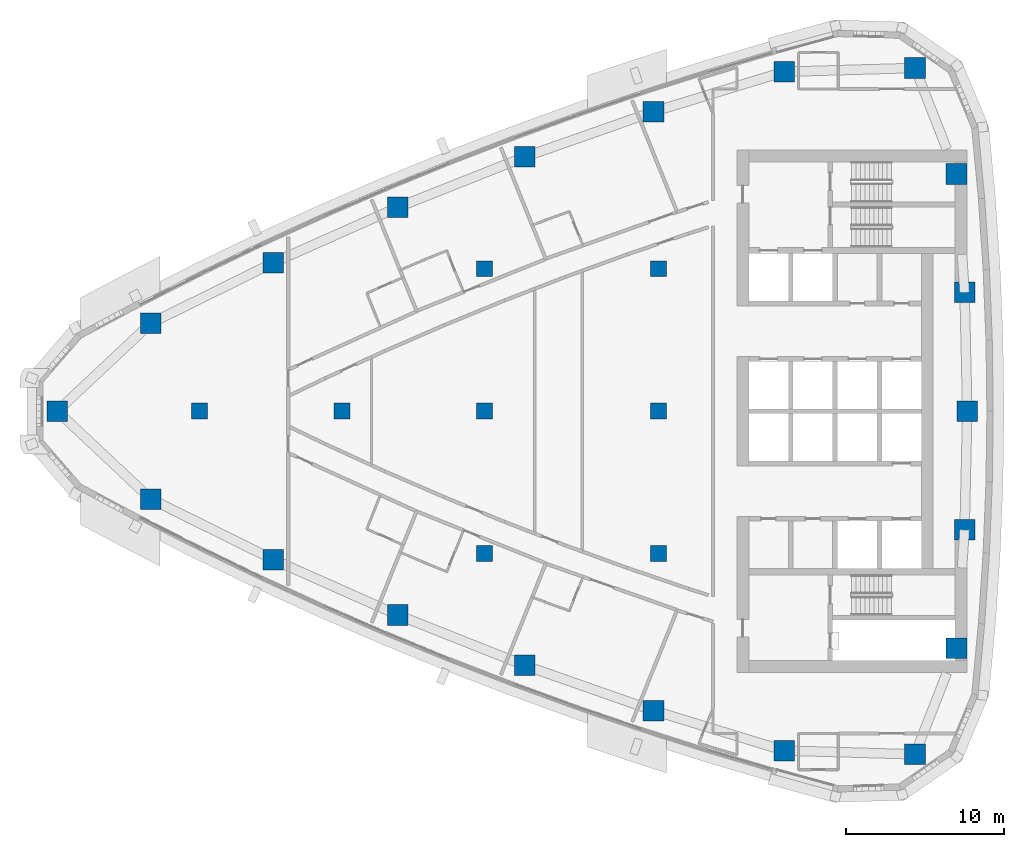
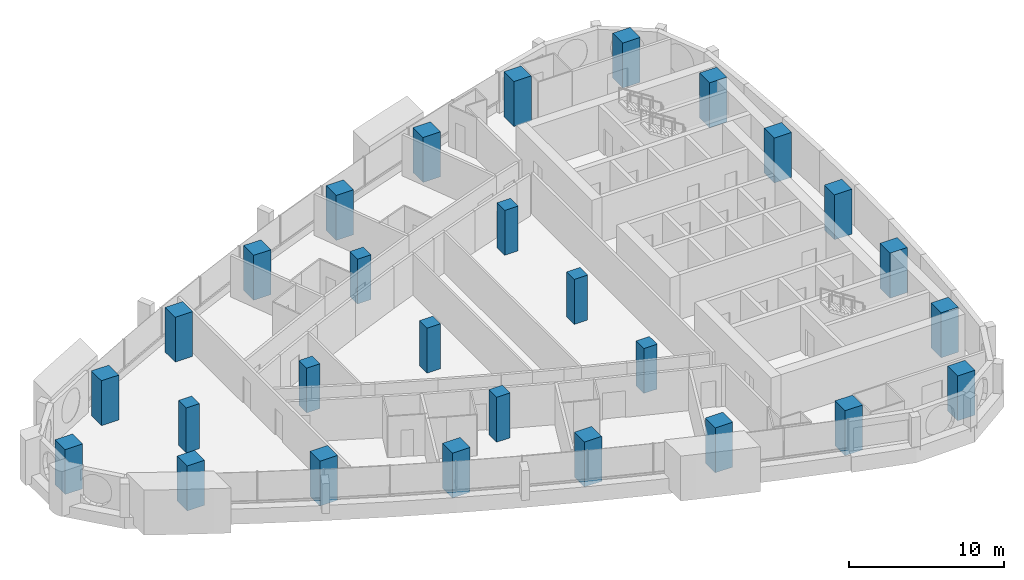
# One storey, part 1 of 17: 28 columns.
"""IFC4 building model written with IfcOpenShell, lengths in metres."""

from ifc_helpers import new_model, si_unit, direction, frame, origin, origin_2d, place, context, subcontext, project, spatial, rectangle, extrude, material, material_profile, profile_set, type_object, element, save


model = new_model("IFC4")

# Units and contexts
model_context = context("Model", 3, precision=1e-05, world=origin(), true_north=direction((0.0, 1.0)))
body_context = subcontext(model_context, "Body", "Model", "MODEL_VIEW")
ifc_project = project(units=[si_unit("LENGTHUNIT", "METRE"), si_unit("AREAUNIT", "SQUARE_METRE"), si_unit("VOLUMEUNIT", "CUBIC_METRE"), si_unit("PLANEANGLEUNIT", "RADIAN"), si_unit("MASSUNIT", "GRAM", prefix="KILO")], contexts=[model_context])

# Site, building, storey
site_placement = place(None, origin())
site = spatial("IfcSite", under=ifc_project, at=site_placement, CompositionType="ELEMENT")
building_placement = place(site_placement, origin())
building = spatial("IfcBuilding", under=site, at=building_placement, Name="Ostrand Prow Hotel Tower", CompositionType="ELEMENT")
storey_placement = place(building_placement, frame((0.0, 0.0, 193.25)))
storey = spatial("IfcBuildingStorey", under=building, at=storey_placement, Name="L48", CompositionType="ELEMENT", Elevation=193.25)

# Columns
ifc_material_1 = material(Name="Concrete C60/75", Category="concrete")
ifc_material_profile_1 = material_profile(ifc_material_1, rectangle(XDim=1.0, YDim=1.0, at=origin_2d()), Name="RC 1000x1000")
ifc_profile_set_1 = profile_set([ifc_material_profile_1], Name="Concrete C60/75")
column_type_1 = type_object("IfcColumnType", Name="Interior column 1000x1000 C60/75", PredefinedType="COLUMN", material=ifc_profile_set_1)
for number, where, z_axis, x_axis, name in (
    (1, (16.0, 0.0, 0.0), (0.0, 0.0, 1.0), (1.0, 0.0, 0.0), "Interior column 16C0"),
    (2, (25.0, 0.0, 0.0), (0.0, 0.0, 1.0), (1.0, 0.0, 0.0), "Interior column 25C0"),
    (3, (34.0, -9.0, 0.0), (0.0, 0.0, 1.0), (1.0, 0.0, 0.0), "Interior column 34S9"),
    (4, (34.0, 0.0, 0.0), (0.0, 0.0, 1.0), (1.0, 0.0, 0.0), "Interior column 34C0"),
    (5, (34.0, 9.0, 0.0), (0.0, 0.0, 1.0), (1.0, 0.0, 0.0), "Interior column 34N9"),
    (6, (45.0, -9.0, 0.0), (0.0, 0.0, 1.0), (1.0, 0.0, 0.0), "Interior column 45S9"),
    (7, (45.0, 0.0, 0.0), (0.0, 0.0, 1.0), (1.0, 0.0, 0.0), "Interior column 45C0"),
    (8, (45.0, 9.0, 0.0), (0.0, 0.0, 1.0), (1.0, 0.0, 0.0), "Interior column 45N9"),
):
    element("IfcColumn", number, at=place(storey_placement, frame(where, z_axis=z_axis, x_axis=x_axis)), inside=storey, type_object=column_type_1, Name=name, PredefinedType="COLUMN", context=body_context, shape_type="SweptSolid", body=[
        extrude(rectangle(XDim=1.0, YDim=1.0, at=origin_2d()), origin(), (0.0, 0.0, 1.0), 3.550048828125),
    ])
ifc_material_2 = material(Name="Concrete C60/75", Category="concrete")
ifc_material_profile_2 = material_profile(ifc_material_2, rectangle(XDim=1.300048828125, YDim=1.300048828125, at=origin_2d()), Name="RC 1300x1300")
ifc_profile_set_2 = profile_set([ifc_material_profile_2], Name="Concrete C60/75")
column_type_2 = type_object("IfcColumnType", Name="Stone-faced mega column 1300x1300 C60/75", PredefinedType="COLUMN", material=ifc_profile_set_2)
for number, where, z_axis, x_axis, name in (
    (9, (7.01708984375, 0.0, 0.0), (0.0, 0.0, 1.0), (1.0, 0.0, 0.0), "Mega column P"),
    (10, (12.9287109375, -5.551513671875, 0.0), (0.0, 0.0, 1.0), (1.0, 0.0, 0.0), "Mega column S1"),
    (11, (20.656982421875, -9.373291015625, 0.0), (0.0, 0.0, 1.0), (1.0, 0.0, 0.0), "Mega column S2"),
    (12, (28.5341796875, -12.878173828125, 0.0), (0.0, 0.0, 1.0), (1.0, 0.0, 0.0), "Mega column S3"),
    (13, (36.547119140625, -16.060791015625, 0.0), (0.0, 0.0, 1.0), (1.0, 0.0, 0.0), "Mega column S4"),
    (14, (44.6826171875, -18.91552734375, 0.0), (0.0, 0.0, 1.0), (1.0, 0.0, 0.0), "Mega column S5"),
    (15, (52.92724609375, -21.43798828125, 0.0), (0.0, 0.0, 1.0), (1.0, 0.0, 0.0), "Mega column S6"),
    (16, (61.198486328125, -21.678955078125, 0.0), (0.0, 0.0, 1.0), (1.0, 0.0, 0.0), "Mega column SE"),
    (17, (63.822021484375, -14.983154296875, 0.0), (0.0, 0.0, 1.0), (1.0, 0.0, 0.0), "Mega column B1"),
    (18, (64.330322265625, -7.499267578125, 0.0), (0.0, 0.0, 1.0), (1.0, 0.0, 0.0), "Mega column B2"),
    (19, (64.5, 0.0, 0.0), (0.0, 0.0, 1.0), (1.0, 0.0, 0.0), "Mega column B3"),
    (20, (64.330322265625, 7.499267578125, 0.0), (0.0, 0.0, 1.0), (1.0, 0.0, 0.0), "Mega column B4"),
    (21, (63.822021484375, 14.983154296875, 0.0), (0.0, 0.0, 1.0), (1.0, 0.0, 0.0), "Mega column B5"),
    (22, (61.198486328125, 21.678955078125, 0.0), (0.0, 0.0, 1.0), (1.0, 0.0, 0.0), "Mega column NE"),
    (23, (52.92724609375, 21.43798828125, 0.0), (0.0, 0.0, 1.0), (1.0, 0.0, 0.0), "Mega column N1"),
    (24, (44.6826171875, 18.91552734375, 0.0), (0.0, 0.0, 1.0), (1.0, 0.0, 0.0), "Mega column N2"),
    (25, (36.547119140625, 16.060791015625, 0.0), (0.0, 0.0, 1.0), (1.0, 0.0, 0.0), "Mega column N3"),
    (26, (28.5341796875, 12.878173828125, 0.0), (0.0, 0.0, 1.0), (1.0, 0.0, 0.0), "Mega column N4"),
    (27, (20.656982421875, 9.373291015625, 0.0), (0.0, 0.0, 1.0), (1.0, 0.0, 0.0), "Mega column N5"),
    (28, (12.9287109375, 5.551513671875, 0.0), (0.0, 0.0, 1.0), (1.0, 0.0, 0.0), "Mega column N6"),
):
    element("IfcColumn", number, at=place(storey_placement, frame(where, z_axis=z_axis, x_axis=x_axis)), inside=storey, type_object=column_type_2, Name=name, PredefinedType="COLUMN", context=body_context, shape_type="SweptSolid", body=[
        extrude(rectangle(XDim=1.300048828125, YDim=1.300048828125, at=origin_2d()), origin(), (0.0, 0.0, 1.0), 3.550048828125),
    ])

save(model, "model.ifc")
